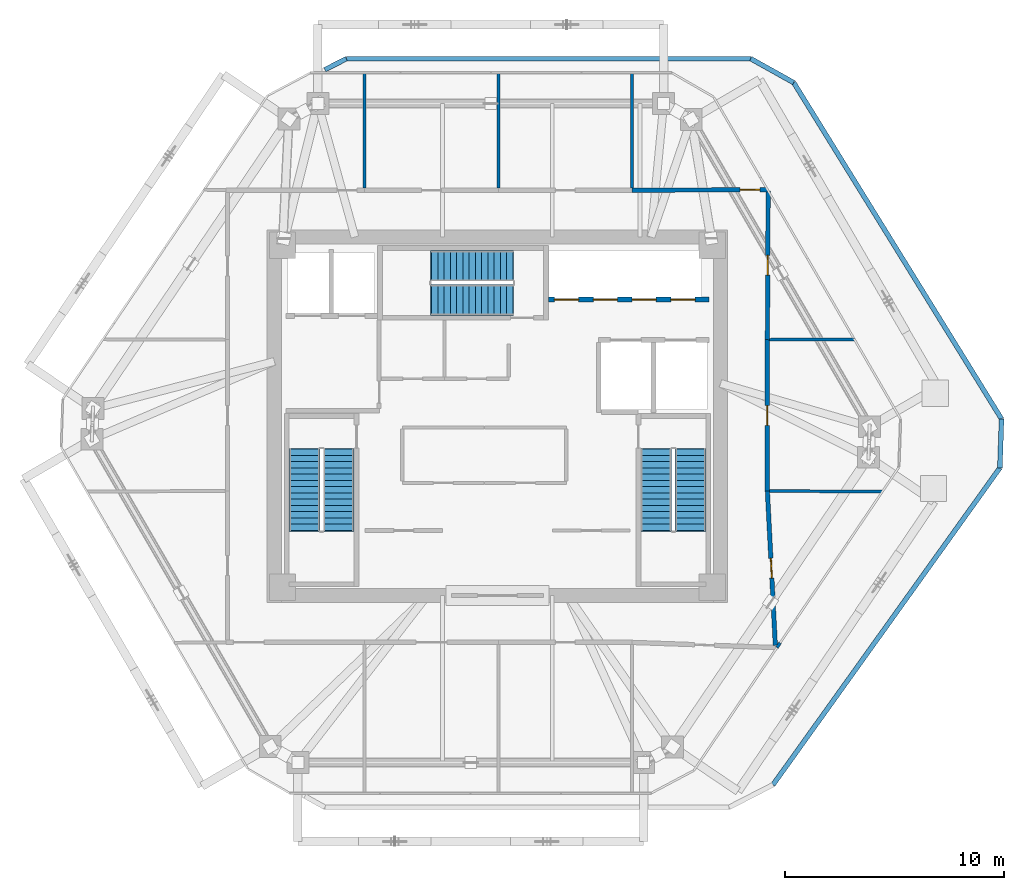
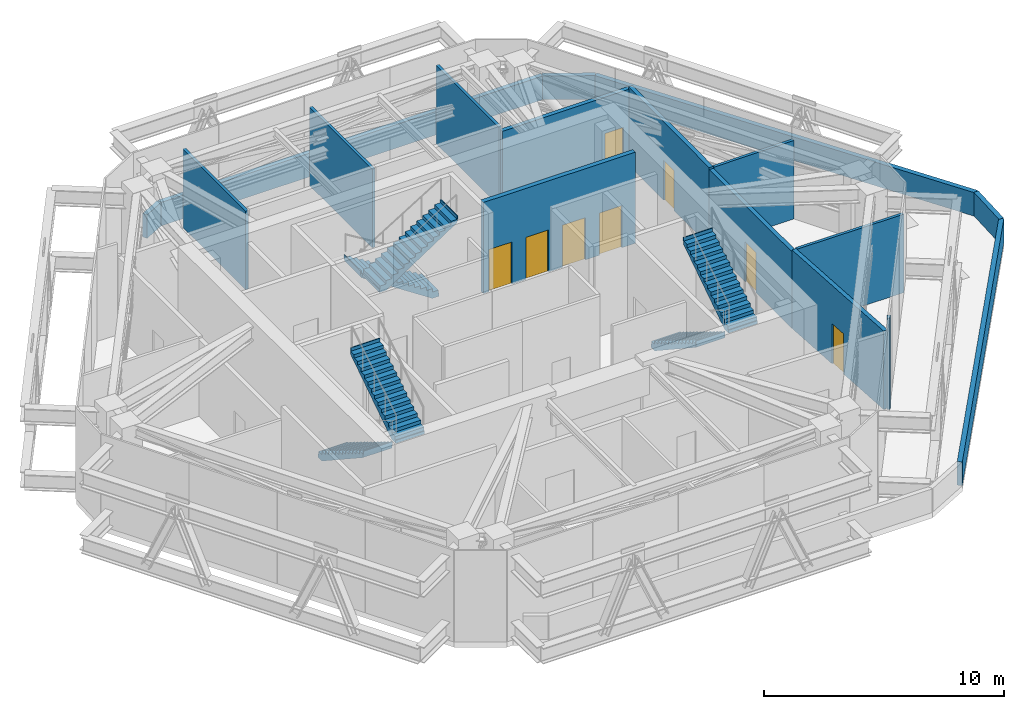
# One storey, part 9 of 10: 17 walls, 8 doors, 6 stair flights, 8 openings, 3 elements without a shape of their own.
"""IFC4 building model written with IfcOpenShell, lengths in metres."""

from ifc_helpers import new_model, si_unit, direction, frame, frame_2d, origin, place, context, subcontext, project, spatial, polyline, rectangle, outline, extrude, source, transform, mapped, material, layer, layer_set, type_object, type_shapes, element, fill, aggregate, save


model = new_model("IFC4")

# Units and contexts
model_context = context("Model", 3, precision=1e-05, world=origin(), true_north=direction((0.0, 1.0)))
body_context = subcontext(model_context, "Body", "Model", "MODEL_VIEW")
ifc_project = project(units=[si_unit("LENGTHUNIT", "METRE"), si_unit("AREAUNIT", "SQUARE_METRE"), si_unit("VOLUMEUNIT", "CUBIC_METRE"), si_unit("PLANEANGLEUNIT", "RADIAN"), si_unit("MASSUNIT", "GRAM", prefix="KILO")], contexts=[model_context])

# Site, building, storey
site_placement = place(None, origin())
site = spatial("IfcSite", under=ifc_project, at=site_placement, CompositionType="ELEMENT")
building_placement = place(site_placement, origin())
building = spatial("IfcBuilding", under=site, at=building_placement, Name="Durnholm Broadcast Tower", CompositionType="ELEMENT")
storey_placement = place(building_placement, frame((0.0, 0.0, 213.39990234375)))
storey = spatial("IfcBuildingStorey", under=building, at=storey_placement, Name="L59", CompositionType="ELEMENT", Elevation=213.39990234375)

# Wall, opening, door
ifc_material_1 = material(Name="Fire-Rated Gypsum Shaftwall", Category="concrete")
ifc_layer_1 = layer(ifc_material_1, 0.199951171875)
ifc_layer_set_1 = layer_set([ifc_layer_1], Name="Fire-Rated Gypsum Shaftwall")
wall_type_1 = type_object("IfcWallType", Name="WALL-LOB-200", PredefinedType="SOLIDWALL", material=ifc_layer_set_1)
wall_1_placement = place(storey_placement, frame((12.317626953125, 10.330078125, 0.0), z_axis=(0.0, 0.0, 1.0), x_axis=(-0.999994876599, -0.003201058528, 0.0)))
wall_1 = element("IfcWall", 1, at=wall_1_placement, inside=storey, type_object=wall_type_1, Name="L59 Mechanical Plant Room - Hydronic Heating Boiler corridor partition", PredefinedType="SOLIDWALL", context=body_context, shape_type="SweptSolid", body=[
    extrude(rectangle(XDim=6.177734375, YDim=0.199951171875, at=frame_2d((3.0888671875, 0.0))), origin(), (0.0, 0.0, 1.0), 3.9013671875),
])
opening_1_placement = place(wall_1_placement, frame((0.35009765625, 0.0, 0.0)))
opening_1 = element("IfcOpeningElement", 2, at=opening_1_placement, cuts=wall_1, Name="Opening DC-60R", PredefinedType="OPENING", context=body_context, shape_type="SweptSolid", body=[
    extrude(rectangle(XDim=0.89990234375, YDim=2.050048828125, at=frame_2d((0.449951171875, 1.02490234375))), frame((0.0, 0.10986328125, 0.0), z_axis=(0.0, -1.0, 0.0), x_axis=(1.0, 0.0, 0.0)), (0.0, 0.0, 1.0), 0.219970703125),
])
ifc_material_2 = material(Name="Fire-Rated Core Service Door", Category="steel")
ifc_layer_2 = layer(ifc_material_2, 0.050048828125)
ifc_layer_set_2 = layer_set([ifc_layer_2], Name="Fire-Rated Core Service Door")
door_type_1 = type_object("IfcDoorType", Name="DOOR-CORE-FD60-R", OperationType="NOTDEFINED", PredefinedType="DOOR", material=ifc_layer_set_2)
shared_shape_1 = source(origin(), body_context, "Body", "SweptSolid", [
    extrude(rectangle(XDim=0.89990234375, YDim=2.050048828125, at=frame_2d((0.449951171875, 1.02490234375))), frame((0.0, 0.02490234375, 0.0), z_axis=(0.0, -1.0, 0.0), x_axis=(1.0, 0.0, 0.0)), (0.0, 0.0, 1.0), 0.050048828125),
])
type_shapes(door_type_1, [shared_shape_1])
door_1_placement = place(opening_1_placement, origin())
door_1 = element("IfcDoor", 3, at=door_1_placement, inside=storey, type_object=door_type_1, Name="L59 Mechanical Plant Room - Hydronic Heating Boiler entrance door", OperationType="SINGLE_SWING_RIGHT", OverallHeight=2.050048828125, OverallWidth=0.89990234375, PredefinedType="DOOR", context=body_context, shape_type="MappedRepresentation", body=[
    mapped(shared_shape_1, transform((0.0, 0.0, 0.0), x_axis=(1.0, 0.0, 0.0), y_axis=(0.0, 1.0, 0.0), z_axis=(0.0, 0.0, 1.0), scale=1.0)),
])
fill(opening_1, door_1)

wall_2_placement = place(storey_placement, frame((12.672119140625, -10.44287109375, 0.0), z_axis=(0.0, 0.0, 1.0), x_axis=(-0.051412460162, 0.998677504974, 0.0)))
wall_2 = element("IfcWall", 4, at=wall_2_placement, inside=storey, type_object=wall_type_1, Name="L59 Mechanical Plant Room - Electrical Switchgear East corridor partition", PredefinedType="SOLIDWALL", context=body_context, shape_type="SweptSolid", body=[
    extrude(rectangle(XDim=7.042236328125, YDim=0.199951171875, at=frame_2d((3.52099609375, 0.0))), origin(), (0.0, 0.0, 1.0), 3.998779296875),
])
opening_2_placement = place(wall_2_placement, frame((3.071044921875, 0.0, 0.0)))
opening_2 = element("IfcOpeningElement", 5, at=opening_2_placement, cuts=wall_2, Name="Opening DC-60L", PredefinedType="OPENING", context=body_context, shape_type="SweptSolid", body=[
    extrude(rectangle(XDim=0.89990234375, YDim=2.050048828125, at=frame_2d((0.449951171875, 1.02490234375))), frame((0.0, 0.10986328125, 0.0), z_axis=(0.0, -1.0, 0.0), x_axis=(1.0, 0.0, 0.0)), (0.0, 0.0, 1.0), 0.219970703125),
])
ifc_layer_3 = layer(ifc_material_2, 0.050048828125)
ifc_layer_set_3 = layer_set([ifc_layer_3], Name="Fire-Rated Core Service Door")
door_type_2 = type_object("IfcDoorType", Name="DOOR-CORE-FD60-L", OperationType="NOTDEFINED", PredefinedType="DOOR", material=ifc_layer_set_3)
shared_shape_2 = source(origin(), body_context, "Body", "SweptSolid", [
    extrude(rectangle(XDim=0.89990234375, YDim=2.050048828125, at=frame_2d((0.449951171875, 1.02490234375))), frame((0.0, 0.02490234375, 0.0), z_axis=(0.0, -1.0, 0.0), x_axis=(1.0, 0.0, 0.0)), (0.0, 0.0, 1.0), 0.050048828125),
])
type_shapes(door_type_2, [shared_shape_2])
door_2_placement = place(opening_2_placement, origin())
door_2 = element("IfcDoor", 6, at=door_2_placement, inside=storey, type_object=door_type_2, Name="L59 Mechanical Plant Room - Electrical Switchgear East entrance door", OperationType="SINGLE_SWING_LEFT", OverallHeight=2.050048828125, OverallWidth=0.89990234375, PredefinedType="DOOR", context=body_context, shape_type="MappedRepresentation", body=[
    mapped(shared_shape_2, transform((0.0, 0.0, 0.0), x_axis=(1.0, 0.0, 0.0), y_axis=(0.0, 1.0, 0.0), z_axis=(0.0, 0.0, 1.0), scale=1.0)),
])
fill(opening_2, door_2)

wall_3_placement = place(storey_placement, frame((12.31005859375, -3.409912109375, 0.0), z_axis=(0.0, 0.0, 1.0), x_axis=(0.0, 1.0, 0.0)))
wall_3 = element("IfcWall", 7, at=wall_3_placement, inside=storey, type_object=wall_type_1, Name="L59 Mechanical Plant Room - Medium Voltage Transformer corridor partition", PredefinedType="SOLIDWALL", context=body_context, shape_type="SweptSolid", body=[
    extrude(rectangle(XDim=6.89990234375, YDim=0.199951171875, at=frame_2d((3.449951171875, 0.0))), origin(), (0.0, 0.0, 1.0), 3.9013671875),
])
opening_3_placement = place(wall_3_placement, frame((3.0, 0.0, 0.0)))
opening_3 = element("IfcOpeningElement", 8, at=opening_3_placement, cuts=wall_3, Name="Opening DC-60R", PredefinedType="OPENING", context=body_context, shape_type="SweptSolid", body=[
    extrude(rectangle(XDim=0.89990234375, YDim=2.050048828125, at=frame_2d((0.449951171875, 1.02490234375))), frame((0.0, 0.10986328125, 0.0), z_axis=(0.0, -1.0, 0.0), x_axis=(1.0, 0.0, 0.0)), (0.0, 0.0, 1.0), 0.219970703125),
])
door_3_placement = place(opening_3_placement, origin())
door_3 = element("IfcDoor", 9, at=door_3_placement, inside=storey, type_object=door_type_1, Name="L59 Mechanical Plant Room - Medium Voltage Transformer entrance door", OperationType="SINGLE_SWING_RIGHT", OverallHeight=2.050048828125, OverallWidth=0.89990234375, PredefinedType="DOOR", context=body_context, shape_type="MappedRepresentation", body=[
    mapped(shared_shape_1, transform((0.0, 0.0, 0.0), x_axis=(1.0, 0.0, 0.0), y_axis=(0.0, 1.0, 0.0), z_axis=(0.0, 0.0, 1.0), scale=1.0)),
])
fill(opening_3, door_3)

wall_4_placement = place(storey_placement, frame((12.310302734375, 3.489990234375, 0.0), z_axis=(0.0, 0.0, 1.0), x_axis=(0.005031021246, 0.999987344333, 0.0)))
wall_4 = element("IfcWall", 10, at=wall_4_placement, inside=storey, type_object=wall_type_1, Name="L59 Mechanical Plant Room - Emergency Smoke Exhaust Fan corridor partition", PredefinedType="SOLIDWALL", context=body_context, shape_type="SweptSolid", body=[
    extrude(rectangle(XDim=6.793701171875, YDim=0.199951171875, at=frame_2d((3.39697265625, 0.0))), origin(), (0.0, 0.0, 1.0), 3.998779296875),
])
opening_4_placement = place(wall_4_placement, frame((2.94677734375, 0.0, 0.0)))
opening_4 = element("IfcOpeningElement", 11, at=opening_4_placement, cuts=wall_4, Name="Opening DC-60L", PredefinedType="OPENING", context=body_context, shape_type="SweptSolid", body=[
    extrude(rectangle(XDim=0.89990234375, YDim=2.050048828125, at=frame_2d((0.449951171875, 1.02490234375))), frame((0.0, 0.10986328125, 0.0), z_axis=(0.0, -1.0, 0.0), x_axis=(1.0, 0.0, 0.0)), (0.0, 0.0, 1.0), 0.219970703125),
])
door_4_placement = place(opening_4_placement, origin())
door_4 = element("IfcDoor", 12, at=door_4_placement, inside=storey, type_object=door_type_2, Name="L59 Mechanical Plant Room - Emergency Smoke Exhaust Fan entrance door", OperationType="SINGLE_SWING_LEFT", OverallHeight=2.050048828125, OverallWidth=0.89990234375, PredefinedType="DOOR", context=body_context, shape_type="MappedRepresentation", body=[
    mapped(shared_shape_2, transform((0.0, 0.0, 0.0), x_axis=(1.0, 0.0, 0.0), y_axis=(0.0, 1.0, 0.0), z_axis=(0.0, 0.0, 1.0), scale=1.0)),
])
fill(opening_4, door_4)

# Walls
ifc_material_3 = material(Name="Precast Concrete C40/50", Category="concrete")
ifc_layer_4 = layer(ifc_material_3, 0.219970703125)
ifc_layer_set_4 = layer_set([ifc_layer_4], Name="Precast Concrete C40/50")
wall_type_2 = type_object("IfcWallType", Name="WALL-PAR-220", PredefinedType="PARAPET", material=ifc_layer_set_4)
wall_5_placement = place(storey_placement, frame((-6.890625, 16.30810546875, 0.0), z_axis=(0.0, 0.0, 1.0), x_axis=(1.0, 0.0, 0.0)))
element("IfcWall", 13, at=wall_5_placement, inside=storey, type_object=wall_type_2, Name="L59 setback roof perimeter parapet 01", PredefinedType="PARAPET", context=body_context, shape_type="SweptSolid", body=[
    extrude(rectangle(XDim=18.443359375, YDim=0.219970703125, at=frame_2d((9.2216796875, 0.0))), origin(), (0.0, 0.0, 1.0), 1.2001953125),
])
wall_6_placement = place(storey_placement, frame((11.552734375, 16.30810546875, 0.0), z_axis=(0.0, 0.0, 1.0), x_axis=(0.873406612347, -0.486991672936, 0.0)))
element("IfcWall", 14, at=wall_6_placement, inside=storey, type_object=wall_type_2, Name="L59 setback roof perimeter parapet 02", PredefinedType="PARAPET", context=body_context, shape_type="SweptSolid", body=[
    extrude(rectangle(XDim=2.242919921875, YDim=0.219970703125, at=frame_2d((1.12158203125, 0.0))), origin(), (0.0, 0.0, 1.0), 1.2001953125),
])
wall_7_placement = place(storey_placement, frame((13.51171875, 15.2158203125, 0.0), z_axis=(0.0, 0.0, 1.0), x_axis=(0.52569294399, -0.85067439637, 0.0)))
element("IfcWall", 15, at=wall_7_placement, inside=storey, type_object=wall_type_2, Name="L59 setback roof perimeter parapet 03", PredefinedType="PARAPET", context=body_context, shape_type="SweptSolid", body=[
    extrude(rectangle(XDim=18.029052734375, YDim=0.219970703125, at=frame_2d((9.0146484375, 0.0))), origin(), (0.0, 0.0, 1.0), 1.2001953125),
])
wall_8_placement = place(storey_placement, frame((22.989501953125, -0.12109375, 0.0), z_axis=(0.0, 0.0, 1.0), x_axis=(-0.033886248039, -0.999425696184, 0.0)))
element("IfcWall", 16, at=wall_8_placement, inside=storey, type_object=wall_type_2, Name="L59 setback roof perimeter parapet 04", PredefinedType="PARAPET", context=body_context, shape_type="SweptSolid", body=[
    extrude(rectangle(XDim=2.2333984375, YDim=0.219970703125, at=frame_2d((1.11669921875, 0.0))), origin(), (0.0, 0.0, 1.0), 1.2001953125),
])
wall_9_placement = place(storey_placement, frame((22.913818359375, -2.353271484375, 0.0), z_axis=(0.0, 0.0, 1.0), x_axis=(-0.582134397548, -0.813092579718, 0.0)))
element("IfcWall", 17, at=wall_9_placement, inside=storey, type_object=wall_type_2, Name="L59 setback roof perimeter parapet 05", PredefinedType="PARAPET", context=body_context, shape_type="SweptSolid", body=[
    extrude(rectangle(XDim=17.773681640625, YDim=0.219970703125, at=frame_2d((8.88671875, 0.0))), origin(), (0.0, 0.0, 1.0), 1.2001953125),
])
wall_10_placement = place(storey_placement, frame((-7.875244140625, 15.802001953125, 0.0), z_axis=(0.0, 0.0, 1.0), x_axis=(0.889387723215, 0.457153669781, 0.0)))
element("IfcWall", 18, at=wall_10_placement, inside=storey, type_object=wall_type_2, Name="L59 setback roof perimeter parapet 48", PredefinedType="PARAPET", context=body_context, shape_type="SweptSolid", body=[
    extrude(rectangle(XDim=1.107177734375, YDim=0.219970703125, at=frame_2d((0.5537109375, 0.0))), origin(), (0.0, 0.0, 1.0), 1.2001953125),
])
ifc_material_4 = material(Name="Gypsum Metal Stud Partition", Category="concrete")
ifc_layer_5 = layer(ifc_material_4, 0.135009765625)
ifc_layer_set_5 = layer_set([ifc_layer_5], Name="Gypsum Metal Stud Partition")
wall_type_3 = type_object("IfcWallType", Name="WALL-PART-135", PredefinedType="PARTITIONING", material=ifc_layer_set_5)
for number, where, z_axis, x_axis, name in (
    (19, (-6.06005859375, 15.662109375, 0.0), (0.0, 0.0, 1.0), (0.0, -1.0, 0.0), "L59 room dividing partition 7.8"),
    (20, (0.0400390625, 15.662109375, 0.0), (0.0, 0.0, 1.0), (0.0, -1.0, 0.0), "L59 room dividing partition 8.9"),
):
    element("IfcWall", number, at=place(storey_placement, frame(where, z_axis=z_axis, x_axis=x_axis)), inside=storey, type_object=wall_type_3, Name=name, PredefinedType="PARTITIONING", context=body_context, shape_type="SweptSolid", body=[
        extrude(rectangle(XDim=5.248046875, YDim=0.135009765625, at=frame_2d((2.6240234375, 0.0))), origin(), (0.0, 0.0, 1.0), 3.998779296875),
    ])
wall_11_placement = place(storey_placement, frame((6.139892578125, 15.662109375, 0.0), z_axis=(0.0, 0.0, 1.0), x_axis=(0.0, -1.0, 0.0)))
element("IfcWall", 21, at=wall_11_placement, inside=storey, type_object=wall_type_3, Name="L59 room dividing partition 9.10", PredefinedType="PARTITIONING", context=body_context, shape_type="SweptSolid", body=[
    extrude(rectangle(XDim=5.247802734375, YDim=0.135009765625, at=frame_2d((2.6240234375, 0.0))), origin(), (0.0, 0.0, 1.0), 3.998779296875),
])
wall_12_placement = place(storey_placement, frame((12.744384765625, -10.549560546875, 0.0), z_axis=(0.0, 0.0, 1.0), x_axis=(0.56006489544, 0.828448738846, 0.0)))
element("IfcWall", 22, at=wall_12_placement, inside=storey, type_object=wall_type_3, Name="L59 room dividing partition 14.15", PredefinedType="PARTITIONING", context=body_context, shape_type="SweptSolid", body=[
    extrude(rectangle(XDim=0.261962890625, YDim=0.135009765625, at=frame_2d((0.130859375, 0.0))), origin(), (0.0, 0.0, 1.0), 4.64501953125),
])
wall_13_placement = place(storey_placement, frame((12.414306640625, -3.410400390625, 0.0), z_axis=(0.0, 0.0, 1.0), x_axis=(0.999990868706, -0.004273465251, 0.0)))
element("IfcWall", 23, at=wall_13_placement, inside=storey, type_object=wall_type_3, Name="L59 room dividing partition 15.16", PredefinedType="PARTITIONING", context=body_context, shape_type="SweptSolid", body=[
    extrude(rectangle(XDim=5.1416015625, YDim=0.135009765625, at=frame_2d((2.57080078125, 0.0))), origin(), (0.0, 0.0, 1.0), 3.998779296875),
])
wall_14_placement = place(storey_placement, frame((12.414306640625, 3.490478515625, 0.0), z_axis=(0.0, 0.0, 1.0), x_axis=(0.999987207709, 0.005058104237, 0.0)))
element("IfcWall", 24, at=wall_14_placement, inside=storey, type_object=wall_type_3, Name="L59 room dividing partition 16.17", PredefinedType="PARTITIONING", context=body_context, shape_type="SweptSolid", body=[
    extrude(rectangle(XDim=3.861328125, YDim=0.135009765625, at=frame_2d((1.9306640625, 0.0))), origin(), (0.0, 0.0, 1.0), 3.998779296875),
])

# Wall, openings, doors
ifc_material_5 = material(Name="Concrete Blockwork C30/37", Category="masonry")
ifc_layer_6 = layer(ifc_material_5, 0.219970703125)
ifc_layer_set_6 = layer_set([ifc_layer_6], Name="Concrete Blockwork C30/37")
wall_type_4 = type_object("IfcWallType", Name="WALL-SHAFT-220", PredefinedType="SOLIDWALL", material=ifc_layer_set_6)
wall_15_placement = place(storey_placement, frame((2.324951171875, 5.320068359375, 0.0), z_axis=(0.0, 0.0, 1.0), x_axis=(1.0, 0.0, 0.0)))
wall_15 = element("IfcWall", 25, at=wall_15_placement, inside=storey, type_object=wall_type_4, Name="L59 high-rise bank P3 south front wall", PredefinedType="SOLIDWALL", context=body_context, shape_type="SweptSolid", body=[
    extrude(rectangle(XDim=7.324951171875, YDim=0.219970703125, at=frame_2d((3.66259765625, 0.0))), origin(), (0.0, 0.0, 1.0), 4.64501953125),
])
opening_5_placement = place(wall_15_placement, frame((0.27490234375, 0.0, 0.0)))
opening_5 = element("IfcOpeningElement", 26, at=opening_5_placement, cuts=wall_15, Name="Opening LD-LP3-1", PredefinedType="OPENING", context=body_context, shape_type="SweptSolid", body=[
    extrude(rectangle(XDim=1.10009765625, YDim=2.14990234375, at=frame_2d((0.550048828125, 1.074951171875))), frame((0.0, 0.1201171875, 0.0), z_axis=(0.0, -1.0, 0.0), x_axis=(1.0, 0.0, 0.0)), (0.0, 0.0, 1.0), 0.239990234375),
])
opening_6_placement = place(wall_15_placement, frame((2.044921875, 0.0, 0.0)))
opening_6 = element("IfcOpeningElement", 27, at=opening_6_placement, cuts=wall_15, Name="Opening LD-LP3-2", PredefinedType="OPENING", context=body_context, shape_type="SweptSolid", body=[
    extrude(rectangle(XDim=1.10009765625, YDim=2.14990234375, at=frame_2d((0.550048828125, 1.074951171875))), frame((0.0, 0.1201171875, 0.0), z_axis=(0.0, -1.0, 0.0), x_axis=(1.0, 0.0, 0.0)), (0.0, 0.0, 1.0), 0.239990234375),
])
opening_7_placement = place(wall_15_placement, frame((3.81494140625, 0.0, 0.0)))
opening_7 = element("IfcOpeningElement", 28, at=opening_7_placement, cuts=wall_15, Name="Opening LD-LP3-3", PredefinedType="OPENING", context=body_context, shape_type="SweptSolid", body=[
    extrude(rectangle(XDim=1.10009765625, YDim=2.14990234375, at=frame_2d((0.550048828125, 1.074951171875))), frame((0.0, 0.1201171875, 0.0), z_axis=(0.0, -1.0, 0.0), x_axis=(1.0, 0.0, 0.0)), (0.0, 0.0, 1.0), 0.239990234375),
])
opening_8_placement = place(wall_15_placement, frame((5.5849609375, 0.0, 0.0)))
opening_8 = element("IfcOpeningElement", 29, at=opening_8_placement, cuts=wall_15, Name="Opening LD-LP3-4", PredefinedType="OPENING", context=body_context, shape_type="SweptSolid", body=[
    extrude(rectangle(XDim=1.10009765625, YDim=2.14990234375, at=frame_2d((0.550048828125, 1.074951171875))), frame((0.0, 0.1201171875, 0.0), z_axis=(0.0, -1.0, 0.0), x_axis=(1.0, 0.0, 0.0)), (0.0, 0.0, 1.0), 0.239990234375),
])
ifc_material_6 = material(Name="Stainless Steel Sliding Elevator Landing Door", Category="steel")
ifc_layer_7 = layer(ifc_material_6, 0.050048828125)
ifc_layer_set_7 = layer_set([ifc_layer_7], Name="Stainless Steel Sliding Elevator Landing Door")
door_type_3 = type_object("IfcDoorType", Name="DOOR-LIFT-PAX", OperationType="DOUBLE_DOOR_SLIDING", PredefinedType="DOOR", material=ifc_layer_set_7)
shared_shape_3 = source(origin(), body_context, "Body", "SweptSolid", [
    extrude(rectangle(XDim=1.10009765625, YDim=2.14990234375, at=frame_2d((0.550048828125, 1.074951171875))), frame((0.0, 0.02490234375, 0.0), z_axis=(0.0, -1.0, 0.0), x_axis=(1.0, 0.0, 0.0)), (0.0, 0.0, 1.0), 0.050048828125),
])
type_shapes(door_type_3, [shared_shape_3])
door_5_placement = place(opening_5_placement, origin())
door_5 = element("IfcDoor", 30, at=door_5_placement, inside=storey, type_object=door_type_3, Name="L59 high-rise elevator LP3-1 sliding landing door", OperationType="DOUBLE_DOOR_SLIDING", OverallHeight=2.14990234375, OverallWidth=1.10009765625, PredefinedType="DOOR", context=body_context, shape_type="MappedRepresentation", body=[
    mapped(shared_shape_3, transform((0.0, 0.0, 0.0), x_axis=(1.0, 0.0, 0.0), y_axis=(0.0, 1.0, 0.0), z_axis=(0.0, 0.0, 1.0), scale=1.0)),
])
fill(opening_5, door_5)
door_6_placement = place(opening_6_placement, origin())
door_6 = element("IfcDoor", 31, at=door_6_placement, inside=storey, type_object=door_type_3, Name="L59 high-rise elevator LP3-2 sliding landing door", OperationType="DOUBLE_DOOR_SLIDING", OverallHeight=2.14990234375, OverallWidth=1.10009765625, PredefinedType="DOOR", context=body_context, shape_type="MappedRepresentation", body=[
    mapped(shared_shape_3, transform((0.0, 0.0, 0.0), x_axis=(1.0, 0.0, 0.0), y_axis=(0.0, 1.0, 0.0), z_axis=(0.0, 0.0, 1.0), scale=1.0)),
])
fill(opening_6, door_6)
door_7_placement = place(opening_7_placement, origin())
door_7 = element("IfcDoor", 32, at=door_7_placement, inside=storey, type_object=door_type_3, Name="L59 high-rise elevator LP3-3 sliding landing door", OperationType="DOUBLE_DOOR_SLIDING", OverallHeight=2.14990234375, OverallWidth=1.10009765625, PredefinedType="DOOR", context=body_context, shape_type="MappedRepresentation", body=[
    mapped(shared_shape_3, transform((0.0, 0.0, 0.0), x_axis=(1.0, 0.0, 0.0), y_axis=(0.0, 1.0, 0.0), z_axis=(0.0, 0.0, 1.0), scale=1.0)),
])
fill(opening_7, door_7)
door_8_placement = place(opening_8_placement, origin())
door_8 = element("IfcDoor", 33, at=door_8_placement, inside=storey, type_object=door_type_3, Name="L59 high-rise elevator LP3-4 sliding landing door", OperationType="DOUBLE_DOOR_SLIDING", OverallHeight=2.14990234375, OverallWidth=1.10009765625, PredefinedType="DOOR", context=body_context, shape_type="MappedRepresentation", body=[
    mapped(shared_shape_3, transform((0.0, 0.0, 0.0), x_axis=(1.0, 0.0, 0.0), y_axis=(0.0, 1.0, 0.0), z_axis=(0.0, 0.0, 1.0), scale=1.0)),
])
fill(opening_8, door_8)

# Stair, stair flights
ifc_material_7 = material(Name="Concrete C50/60", Category="concrete")
stair_type = type_object("IfcStairType", Name="STAIR-DL-28R1750", PredefinedType="HALF_TURN_STAIR", material=ifc_material_7)
stair_1_placement = place(storey_placement, origin())
stair_1 = element("IfcStair", 34, at=stair_1_placement, inside=storey, type_object=stair_type, Name="L59 ST-1", PredefinedType="HALF_TURN_STAIR")
stair_flight_type = type_object("IfcStairFlightType", Name="FLIGHT-DL-28R1750", PredefinedType="STRAIGHT", material=ifc_material_7)
stair_flight_1_placement = place(storey_placement, frame((-8.800048828125, -1.5, 0.0), z_axis=(0.0, 0.0, 1.0), x_axis=(0.0, -1.0, 0.0)))
stair_flight_1 = element("IfcStairFlight", 35, at=stair_flight_1_placement, type_object=stair_flight_type, Name="ST-1 flight 1", NumberOfRisers=14, NumberOfTreads=13, PredefinedType="STRAIGHT", RiserHeight=0.175, TreadLength=0.285, context=body_context, shape_type="SweptSolid", body=[
    extrude(outline(polyline([(-0.0400390625, -0.14990234375), (-0.0400390625, 0.0), (0.0, 0.0), (0.0, 0.175048828125), (0.284912109375, 0.175048828125), (0.284912109375, 0.35009765625), (0.570068359375, 0.35009765625), (0.570068359375, 0.52490234375), (0.85498046875, 0.52490234375), (0.85498046875, 0.699951171875), (1.139892578125, 0.699951171875), (1.139892578125, 0.875), (1.425048828125, 0.875), (1.425048828125, 1.050048828125), (1.7099609375, 1.050048828125), (1.7099609375, 1.22509765625), (1.9951171875, 1.22509765625), (1.9951171875, 1.39990234375), (2.280029296875, 1.39990234375), (2.280029296875, 1.574951171875), (2.56494140625, 1.574951171875), (2.56494140625, 1.75), (2.85009765625, 1.75), (2.85009765625, 1.925048828125), (3.135009765625, 1.925048828125), (3.135009765625, 2.10009765625), (3.419921875, 2.10009765625), (3.419921875, 2.27490234375), (3.705078125, 2.27490234375), (3.705078125, 2.449951171875), (3.7451171875, 2.449951171875), (3.7451171875, 2.300048828125), (3.705078125, 2.09912109375), (0.286376953125, -0.14990234375), (-0.0400390625, -0.14990234375)])), frame((0.0, 0.699951171875, 0.0), z_axis=(0.0, -1.0, 0.0), x_axis=(1.0, 0.0, 0.0)), (0.0, 0.0, 1.0), 1.39990234375),
])
stair_flight_2_placement = place(storey_placement, frame((-7.239990234375, -5.205078125, 2.4501953125), z_axis=(0.0, 0.0, 1.0), x_axis=(0.0, 1.0, 0.0)))
stair_flight_2 = element("IfcStairFlight", 36, at=stair_flight_2_placement, type_object=stair_flight_type, Name="ST-1 flight 2", NumberOfRisers=14, NumberOfTreads=13, PredefinedType="STRAIGHT", RiserHeight=0.175, TreadLength=0.285, context=body_context, shape_type="SweptSolid", body=[
    extrude(outline(polyline([(-0.0400390625, -0.14990234375), (-0.0400390625, 0.0), (0.0, 0.0), (0.0, 0.175048828125), (0.284912109375, 0.175048828125), (0.284912109375, 0.35009765625), (0.570068359375, 0.35009765625), (0.570068359375, 0.52490234375), (0.85498046875, 0.52490234375), (0.85498046875, 0.699951171875), (1.139892578125, 0.699951171875), (1.139892578125, 0.875), (1.425048828125, 0.875), (1.425048828125, 1.050048828125), (1.7099609375, 1.050048828125), (1.7099609375, 1.22509765625), (1.9951171875, 1.22509765625), (1.9951171875, 1.39990234375), (2.280029296875, 1.39990234375), (2.280029296875, 1.574951171875), (2.56494140625, 1.574951171875), (2.56494140625, 1.75), (2.85009765625, 1.75), (2.85009765625, 1.925048828125), (3.135009765625, 1.925048828125), (3.135009765625, 2.10009765625), (3.419921875, 2.10009765625), (3.419921875, 2.27490234375), (3.705078125, 2.27490234375), (3.705078125, 2.449951171875), (3.7451171875, 2.449951171875), (3.7451171875, 2.300048828125), (3.705078125, 2.09912109375), (0.286376953125, -0.14990234375), (-0.0400390625, -0.14990234375)])), frame((0.0, 0.699951171875, 0.0), z_axis=(0.0, -1.0, 0.0), x_axis=(1.0, 0.0, 0.0)), (0.0, 0.0, 1.0), 1.39990234375),
])
aggregate(stair_1, [stair_flight_1, stair_flight_2])

stair_2_placement = place(storey_placement, origin())
stair_2 = element("IfcStair", 37, at=stair_2_placement, inside=storey, type_object=stair_type, Name="L59 ST-2", PredefinedType="HALF_TURN_STAIR")
stair_flight_3_placement = place(storey_placement, frame((7.239990234375, -1.5, 0.0), z_axis=(0.0, 0.0, 1.0), x_axis=(0.0, -1.0, 0.0)))
stair_flight_3 = element("IfcStairFlight", 38, at=stair_flight_3_placement, type_object=stair_flight_type, Name="ST-2 flight 1", NumberOfRisers=14, NumberOfTreads=13, PredefinedType="STRAIGHT", RiserHeight=0.175, TreadLength=0.285, context=body_context, shape_type="SweptSolid", body=[
    extrude(outline(polyline([(-0.0400390625, -0.14990234375), (-0.0400390625, 0.0), (0.0, 0.0), (0.0, 0.175048828125), (0.284912109375, 0.175048828125), (0.284912109375, 0.35009765625), (0.570068359375, 0.35009765625), (0.570068359375, 0.52490234375), (0.85498046875, 0.52490234375), (0.85498046875, 0.699951171875), (1.139892578125, 0.699951171875), (1.139892578125, 0.875), (1.425048828125, 0.875), (1.425048828125, 1.050048828125), (1.7099609375, 1.050048828125), (1.7099609375, 1.22509765625), (1.9951171875, 1.22509765625), (1.9951171875, 1.39990234375), (2.280029296875, 1.39990234375), (2.280029296875, 1.574951171875), (2.56494140625, 1.574951171875), (2.56494140625, 1.75), (2.85009765625, 1.75), (2.85009765625, 1.925048828125), (3.135009765625, 1.925048828125), (3.135009765625, 2.10009765625), (3.419921875, 2.10009765625), (3.419921875, 2.27490234375), (3.705078125, 2.27490234375), (3.705078125, 2.449951171875), (3.7451171875, 2.449951171875), (3.7451171875, 2.300048828125), (3.705078125, 2.09912109375), (0.286376953125, -0.14990234375), (-0.0400390625, -0.14990234375)])), frame((0.0, 0.699951171875, 0.0), z_axis=(0.0, -1.0, 0.0), x_axis=(1.0, 0.0, 0.0)), (0.0, 0.0, 1.0), 1.39990234375),
])
stair_flight_4_placement = place(storey_placement, frame((8.800048828125, -5.205078125, 2.4501953125), z_axis=(0.0, 0.0, 1.0), x_axis=(0.0, 1.0, 0.0)))
stair_flight_4 = element("IfcStairFlight", 39, at=stair_flight_4_placement, type_object=stair_flight_type, Name="ST-2 flight 2", NumberOfRisers=14, NumberOfTreads=13, PredefinedType="STRAIGHT", RiserHeight=0.175, TreadLength=0.285, context=body_context, shape_type="SweptSolid", body=[
    extrude(outline(polyline([(-0.0400390625, -0.14990234375), (-0.0400390625, 0.0), (0.0, 0.0), (0.0, 0.175048828125), (0.284912109375, 0.175048828125), (0.284912109375, 0.35009765625), (0.570068359375, 0.35009765625), (0.570068359375, 0.52490234375), (0.85498046875, 0.52490234375), (0.85498046875, 0.699951171875), (1.139892578125, 0.699951171875), (1.139892578125, 0.875), (1.425048828125, 0.875), (1.425048828125, 1.050048828125), (1.7099609375, 1.050048828125), (1.7099609375, 1.22509765625), (1.9951171875, 1.22509765625), (1.9951171875, 1.39990234375), (2.280029296875, 1.39990234375), (2.280029296875, 1.574951171875), (2.56494140625, 1.574951171875), (2.56494140625, 1.75), (2.85009765625, 1.75), (2.85009765625, 1.925048828125), (3.135009765625, 1.925048828125), (3.135009765625, 2.10009765625), (3.419921875, 2.10009765625), (3.419921875, 2.27490234375), (3.705078125, 2.27490234375), (3.705078125, 2.449951171875), (3.7451171875, 2.449951171875), (3.7451171875, 2.300048828125), (3.705078125, 2.09912109375), (0.286376953125, -0.14990234375), (-0.0400390625, -0.14990234375)])), frame((0.0, 0.699951171875, 0.0), z_axis=(0.0, -1.0, 0.0), x_axis=(1.0, 0.0, 0.0)), (0.0, 0.0, 1.0), 1.39990234375),
])
aggregate(stair_2, [stair_flight_3, stair_flight_4])

stair_3_placement = place(storey_placement, origin())
stair_3 = element("IfcStair", 40, at=stair_3_placement, inside=storey, type_object=stair_type, Name="L59 ST-3", PredefinedType="HALF_TURN_STAIR")
stair_flight_5_placement = place(storey_placement, frame((0.699951171875, 6.860107421875, 0.0), z_axis=(0.0, 0.0, 1.0), x_axis=(-1.0, 0.0, 0.0)))
stair_flight_5 = element("IfcStairFlight", 41, at=stair_flight_5_placement, type_object=stair_flight_type, Name="ST-3 flight 1", NumberOfRisers=14, NumberOfTreads=13, PredefinedType="STRAIGHT", RiserHeight=0.175, TreadLength=0.285, context=body_context, shape_type="SweptSolid", body=[
    extrude(outline(polyline([(-0.0400390625, -0.14990234375), (-0.0400390625, 0.0), (0.0, 0.0), (0.0, 0.175048828125), (0.284912109375, 0.175048828125), (0.284912109375, 0.35009765625), (0.570068359375, 0.35009765625), (0.570068359375, 0.52490234375), (0.85498046875, 0.52490234375), (0.85498046875, 0.699951171875), (1.139892578125, 0.699951171875), (1.139892578125, 0.875), (1.425048828125, 0.875), (1.425048828125, 1.050048828125), (1.7099609375, 1.050048828125), (1.7099609375, 1.22509765625), (1.9951171875, 1.22509765625), (1.9951171875, 1.39990234375), (2.280029296875, 1.39990234375), (2.280029296875, 1.574951171875), (2.56494140625, 1.574951171875), (2.56494140625, 1.75), (2.85009765625, 1.75), (2.85009765625, 1.925048828125), (3.135009765625, 1.925048828125), (3.135009765625, 2.10009765625), (3.419921875, 2.10009765625), (3.419921875, 2.27490234375), (3.705078125, 2.27490234375), (3.705078125, 2.449951171875), (3.7451171875, 2.449951171875), (3.7451171875, 2.300048828125), (3.705078125, 2.09912109375), (0.286376953125, -0.14990234375), (-0.0400390625, -0.14990234375)])), frame((0.0, 0.699951171875, 0.0), z_axis=(0.0, -1.0, 0.0), x_axis=(1.0, 0.0, 0.0)), (0.0, 0.0, 1.0), 1.39990234375),
])
stair_flight_6_placement = place(storey_placement, frame((-3.0048828125, 5.300048828125, 2.4501953125), z_axis=(0.0, 0.0, 1.0), x_axis=(1.0, 0.0, 0.0)))
stair_flight_6 = element("IfcStairFlight", 42, at=stair_flight_6_placement, type_object=stair_flight_type, Name="ST-3 flight 2", NumberOfRisers=14, NumberOfTreads=13, PredefinedType="STRAIGHT", RiserHeight=0.175, TreadLength=0.285, context=body_context, shape_type="SweptSolid", body=[
    extrude(outline(polyline([(-0.0400390625, -0.14990234375), (-0.0400390625, 0.0), (0.0, 0.0), (0.0, 0.175048828125), (0.284912109375, 0.175048828125), (0.284912109375, 0.35009765625), (0.570068359375, 0.35009765625), (0.570068359375, 0.52490234375), (0.85498046875, 0.52490234375), (0.85498046875, 0.699951171875), (1.139892578125, 0.699951171875), (1.139892578125, 0.875), (1.425048828125, 0.875), (1.425048828125, 1.050048828125), (1.7099609375, 1.050048828125), (1.7099609375, 1.22509765625), (1.9951171875, 1.22509765625), (1.9951171875, 1.39990234375), (2.280029296875, 1.39990234375), (2.280029296875, 1.574951171875), (2.56494140625, 1.574951171875), (2.56494140625, 1.75), (2.85009765625, 1.75), (2.85009765625, 1.925048828125), (3.135009765625, 1.925048828125), (3.135009765625, 2.10009765625), (3.419921875, 2.10009765625), (3.419921875, 2.27490234375), (3.705078125, 2.27490234375), (3.705078125, 2.449951171875), (3.7451171875, 2.449951171875), (3.7451171875, 2.300048828125), (3.705078125, 2.09912109375), (0.286376953125, -0.14990234375), (-0.0400390625, -0.14990234375)])), frame((0.0, 0.699951171875, 0.0), z_axis=(0.0, -1.0, 0.0), x_axis=(1.0, 0.0, 0.0)), (0.0, 0.0, 1.0), 1.39990234375),
])
aggregate(stair_3, [stair_flight_5, stair_flight_6])

save(model, "model.ifc")
